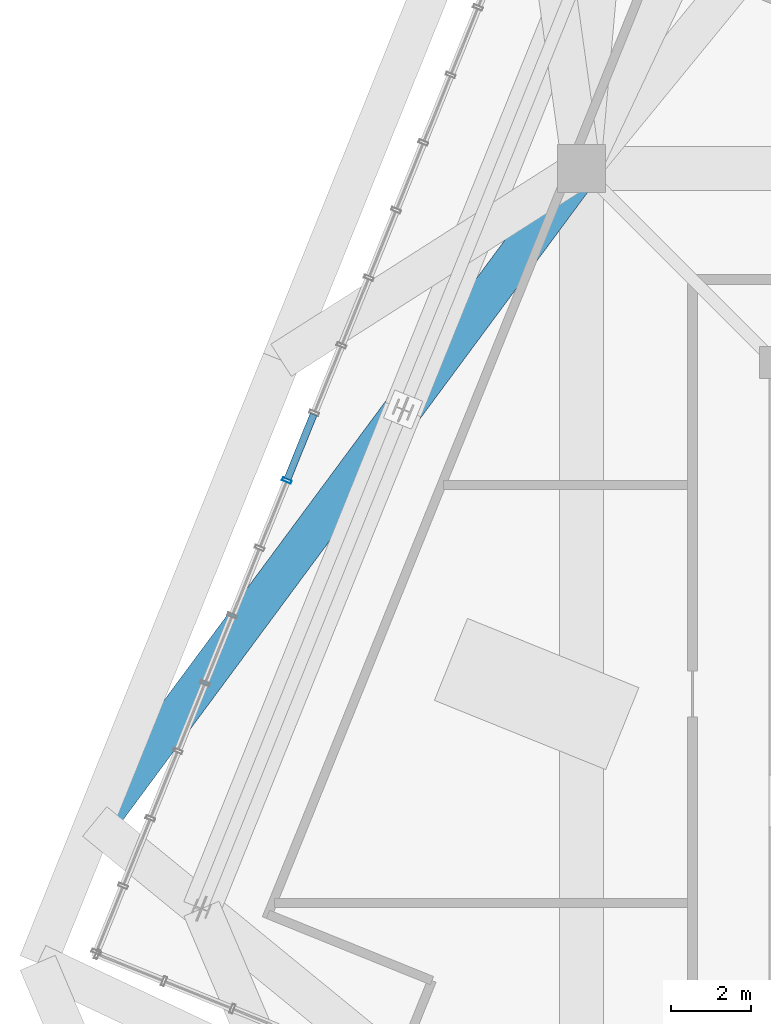
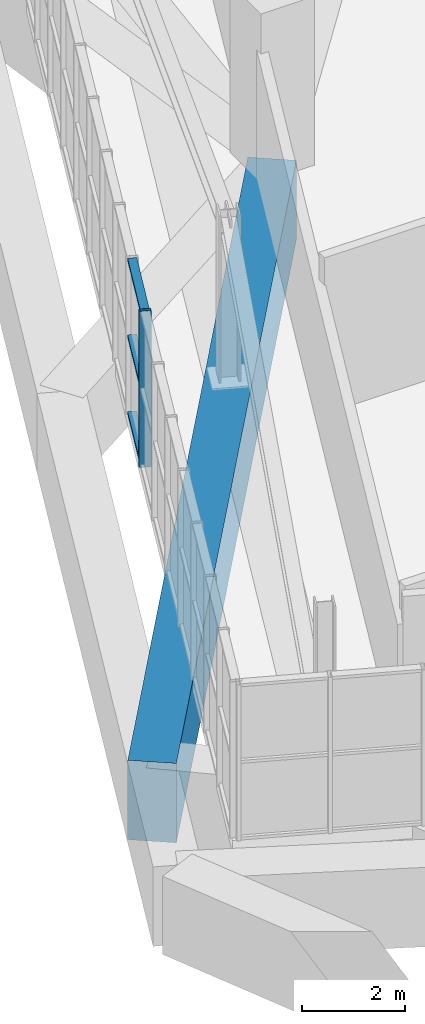
# One storey, part 11 of 35: 4 members, 1 beam, 1 element without a shape of its own.
"""IFC4 building model written with IfcOpenShell, lengths in metres."""

from ifc_helpers import new_model, si_unit, direction, frame, origin, origin_2d, place, context, subcontext, project, spatial, rectangle, hollow_rectangle, extrude, source, transform, mapped, material, layer, layer_set, material_profile, profile_set, type_object, element, aggregate, save


model = new_model("IFC4")

# Units and contexts
model_context = context("Model", 3, precision=1e-05, world=origin(), true_north=direction((0.0, 1.0)))
body_context = subcontext(model_context, "Body", "Model", "MODEL_VIEW")
ifc_project = project(units=[si_unit("LENGTHUNIT", "METRE"), si_unit("AREAUNIT", "SQUARE_METRE"), si_unit("VOLUMEUNIT", "CUBIC_METRE"), si_unit("PLANEANGLEUNIT", "RADIAN"), si_unit("MASSUNIT", "GRAM", prefix="KILO"), si_unit("THERMODYNAMICTEMPERATUREUNIT", "KELVIN")], contexts=[model_context])

# Site, building, storey
site_placement = place(None, origin())
site = spatial("IfcSite", under=ifc_project, at=site_placement, CompositionType="ELEMENT")
building_placement = place(site_placement, origin())
building = spatial("IfcBuilding", under=site, at=building_placement, Name="Kosmvard Interchange Tower", CompositionType="ELEMENT")
storey_placement = place(building_placement, frame((0.0, 0.0, 321.60009765625)))
storey = spatial("IfcBuildingStorey", under=building, at=storey_placement, Name="L79", CompositionType="ELEMENT", Elevation=321.60009765625)

# Beam
ifc_material_1 = material(Name="Concrete C60/75", Category="concrete")
ifc_material_profile_1 = material_profile(ifc_material_1, rectangle(XDim=0.949951171875, YDim=1.8798828125, at=origin_2d()), Name="TG 950x1880")
ifc_profile_set_1 = profile_set([ifc_material_profile_1], Name="Concrete C60/75")
beam_type = type_object("IfcBeamType", Name="Upper Long-Span Transfer Girder 950x1880 C60/75", PredefinedType="USERDEFINED", material=ifc_profile_set_1)
shared_shape_1 = source(origin(), body_context, "Body", "SweptSolid", [
    extrude(rectangle(XDim=0.949951171875, YDim=1.8798828125, at=origin_2d()), origin(), (0.0, 0.0, 1.0), 20.5341796875),
])
beam_placement = place(storey_placement, frame((-13.0810546875, 13.0810546875, -0.940185546875), z_axis=(-0.595023376931, -0.803708392954, 0.0), x_axis=(0.803708392954, -0.595023376931, 0.0)))
element("IfcBeam", 1, at=beam_placement, inside=storey, type_object=beam_type, Name="BM-L79-RD08", ObjectType="TRANSFER_GIRDER", PredefinedType="USERDEFINED", context=body_context, shape_type="MappedRepresentation", body=[
    mapped(shared_shape_1, transform((0.0, 0.0, 0.0), scale=1.0)),
])

# Curtain wall, members
ifc_material_2 = material(Name="Architectural anodised aluminium", Category="aluminium")
ifc_layer = layer(ifc_material_2, 0.25, Name="Architectural anodised aluminium")
ifc_layer_set = layer_set([ifc_layer], Name="Architectural anodised aluminium")
curtain_wall_type = type_object("IfcCurtainWallType", Name="CW-6 Illuminated Crown Lantern Curtain Wall", PredefinedType="NOTDEFINED", material=ifc_layer_set)
curtain_wall_placement = place(storey_placement, origin())
curtain_wall = element("IfcCurtainWall", 2, at=curtain_wall_placement, inside=storey, type_object=curtain_wall_type, Name="L79 Crown Lantern Glazing Face 07", PredefinedType="NOTDEFINED")
ifc_material_profile_2 = material_profile(ifc_material_2, hollow_rectangle(XDim=0.239990234375, YDim=0.080078125, WallThickness=0.006103515625, at=origin_2d()), Name="CWM 240x80x6")
ifc_profile_set_2 = profile_set([ifc_material_profile_2], Name="Architectural anodised aluminium")
member_type_1 = type_object("IfcMemberType", Name="Lantern & Observation CW Mullion 240x80 Aluminium", PredefinedType="MULLION", material=ifc_profile_set_2)
shared_shape_2 = source(origin(), body_context, "Body", "SweptSolid", [
    extrude(hollow_rectangle(XDim=0.239990234375, YDim=0.080078125, WallThickness=0.006103515625, at=origin_2d()), origin(), (0.0, 0.0, 1.0), 3.699951171875),
])
member_1_placement = place(storey_placement, frame((-20.416015625, 5.313720703125, 0.0), z_axis=(0.0, 0.0, 1.0), x_axis=(0.927183858065, -0.374606584758, 0.0)))
member_1 = element("IfcMember", 3, at=member_1_placement, type_object=member_type_1, Name="CW-6 mullion 11", PredefinedType="MULLION", context=body_context, shape_type="MappedRepresentation", body=[
    mapped(shared_shape_2, transform((0.0, 0.0, 0.0), scale=1.0)),
])
ifc_material_profile_3 = material_profile(ifc_material_2, hollow_rectangle(XDim=0.179931640625, YDim=0.070068359375, WallThickness=0.0048828125, at=origin_2d()), Name="CWT 180x70x5")
ifc_profile_set_3 = profile_set([ifc_material_profile_3], Name="Architectural anodised aluminium")
member_type_2 = type_object("IfcMemberType", Name="Heavy Lantern CW Transom 180x70 Aluminium", PredefinedType="USERDEFINED", material=ifc_profile_set_3)
shared_shape_3 = source(origin(), body_context, "Body", "SweptSolid", [
    extrude(hollow_rectangle(XDim=0.179931640625, YDim=0.070068359375, WallThickness=0.0048828125, at=origin_2d()), origin(), (0.0, 0.0, 1.0), 1.734130859375),
])
member_2_placement = place(storey_placement, frame((-19.75146484375, 6.958740234375, 0.034912109375), z_axis=(-0.374616671924, -0.927179782522, 0.0), x_axis=(0.927179782522, -0.374616671924, 0.0)))
member_2 = element("IfcMember", 4, at=member_2_placement, type_object=member_type_2, Name="CW-6 transom 10.1", ObjectType="TRANSOM", PredefinedType="USERDEFINED", context=body_context, shape_type="MappedRepresentation", body=[
    mapped(shared_shape_3, transform((0.0, 0.0, 0.0), scale=1.0)),
])
member_3_placement = place(storey_placement, frame((-19.75146484375, 6.958740234375, 1.849853515625), z_axis=(-0.374616671924, -0.927179782522, 0.0), x_axis=(0.927179782522, -0.374616671924, 0.0)))
member_3 = element("IfcMember", 5, at=member_3_placement, type_object=member_type_2, Name="CW-6 transom 10.2", ObjectType="TRANSOM", PredefinedType="USERDEFINED", context=body_context, shape_type="MappedRepresentation", body=[
    mapped(shared_shape_3, transform((0.0, 0.0, 0.0), scale=1.0)),
])
member_4_placement = place(storey_placement, frame((-19.75146484375, 6.958740234375, 3.664794921875), z_axis=(-0.374616671924, -0.927179782522, 0.0), x_axis=(0.927179782522, -0.374616671924, 0.0)))
member_4 = element("IfcMember", 6, at=member_4_placement, type_object=member_type_2, Name="CW-6 transom 10.3", ObjectType="TRANSOM", PredefinedType="USERDEFINED", context=body_context, shape_type="MappedRepresentation", body=[
    mapped(shared_shape_3, transform((0.0, 0.0, 0.0), scale=1.0)),
])
aggregate(curtain_wall, [member_1, member_2, member_3, member_4])

save(model, "model.ifc")
